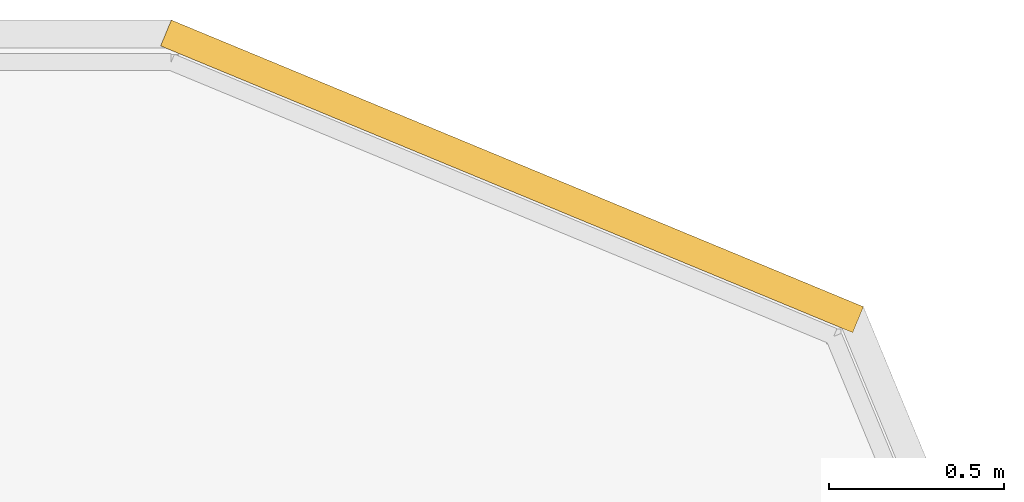
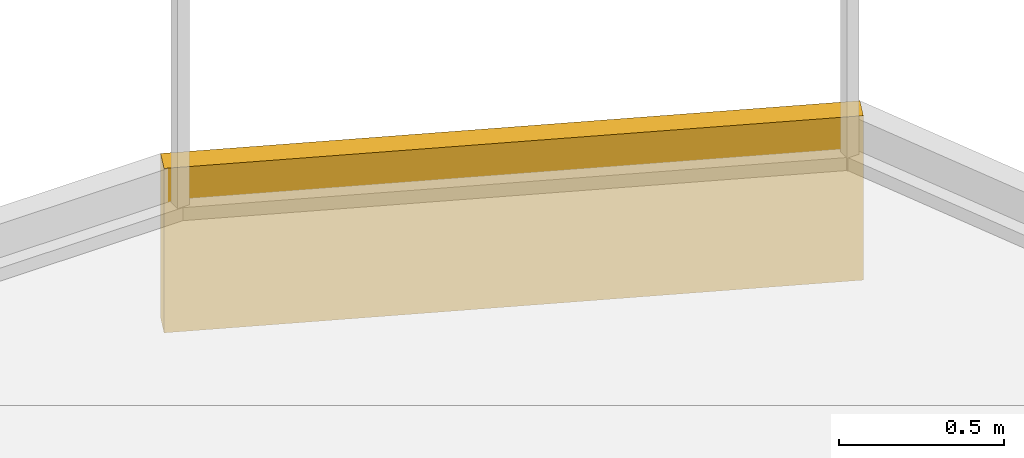
# One storey, part 14 of 14: 1 covering.
"""IFC4 building model written with IfcOpenShell, lengths in metres."""

from ifc_helpers import new_model, si_unit, direction, frame, frame_2d, origin, place, context, subcontext, project, spatial, rectangle, extrude, material, layer, layer_set, type_object, element, save


model = new_model("IFC4")

# Units and contexts
model_context = context("Model", 3, precision=1e-05, world=origin(), true_north=direction((0.0, 1.0)))
body_context = subcontext(model_context, "Body", "Model", "MODEL_VIEW")
ifc_project = project(units=[si_unit("LENGTHUNIT", "METRE"), si_unit("AREAUNIT", "SQUARE_METRE"), si_unit("VOLUMEUNIT", "CUBIC_METRE"), si_unit("PLANEANGLEUNIT", "RADIAN"), si_unit("MASSUNIT", "GRAM", prefix="KILO")], contexts=[model_context])

# Site, building, storey
site_placement = place(None, origin())
site = spatial("IfcSite", under=ifc_project, at=site_placement, CompositionType="ELEMENT")
building_placement = place(site_placement, origin())
building = spatial("IfcBuilding", under=site, at=building_placement, Name="Zulmaris Gate Convention Tower", CompositionType="ELEMENT")
storey_placement = place(building_placement, frame((0.0, 0.0, 30.77001953125)))
storey = spatial("IfcBuildingStorey", under=building, at=storey_placement, Name="L06", CompositionType="ELEMENT", Elevation=30.77001953125)

# Covering
ifc_material = material(Name="White Glazed Architectural Precast Concrete C40/50", Category="concrete")
ifc_layer = layer(ifc_material, 0.080078125, Name="White Glazed Architectural Precast Concrete C40/50")
ifc_layer_set = layer_set([ifc_layer], Name="White Glazed Architectural Precast Concrete C40/50")
covering_type = type_object("IfcCoveringType", Name="CLAD-TRAY-FASCIA", PredefinedType="CLADDING", material=ifc_layer_set)
covering_placement = place(storey_placement, frame((30.16455078125, 27.44287109375, -0.489990234375), z_axis=(0.0, 0.0, 1.0), x_axis=(-0.923873803533, 0.382697263049, 0.0)))
element("IfcCovering", 1, at=covering_placement, inside=storey, type_object=covering_type, Name="FSC-L06-TR-07", PredefinedType="CLADDING", context=body_context, shape_type="SweptSolid", body=[
    extrude(rectangle(XDim=2.142822265625, YDim=0.080078125, at=frame_2d((1.0712890625, 0.0))), origin(), (0.0, 0.0, 1.0), 0.60986328125),
])

save(model, "model.ifc")
